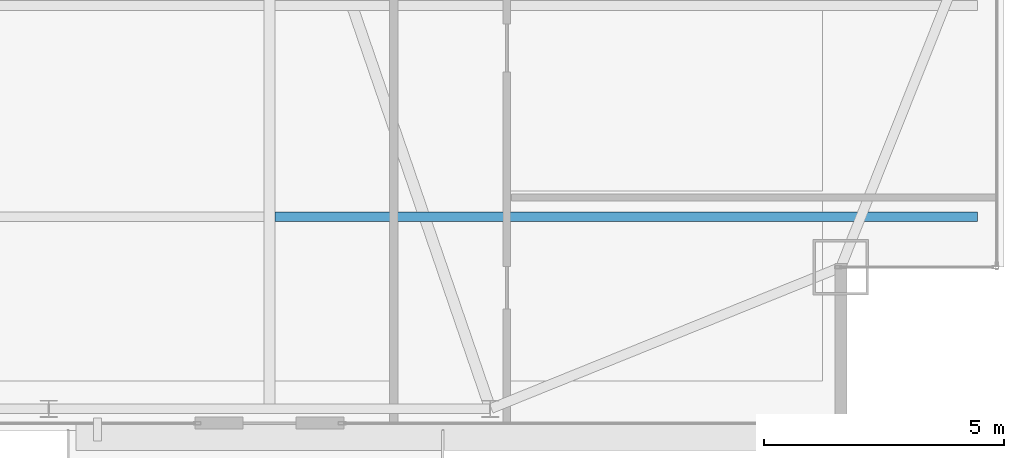
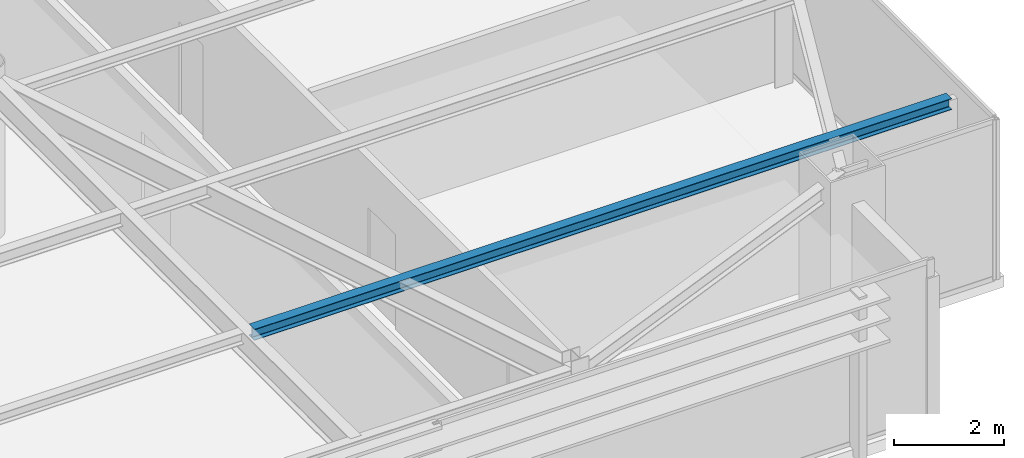
# One storey, part 14 of 30: 1 beam.
"""IFC4 building model written with IfcOpenShell, lengths in metres."""

from ifc_helpers import new_model, si_unit, direction, frame, origin, origin_2d, place, context, subcontext, project, spatial, i_section, extrude, source, transform, mapped, material, material_profile, profile_set, type_object, type_shapes, element, save


model = new_model("IFC4")

# Units and contexts
model_context = context("Model", 3, precision=1e-05, world=origin(), true_north=direction((0.0, 1.0)))
body_context = subcontext(model_context, "Body", "Model", "MODEL_VIEW")
ifc_project = project(units=[si_unit("LENGTHUNIT", "METRE"), si_unit("AREAUNIT", "SQUARE_METRE"), si_unit("VOLUMEUNIT", "CUBIC_METRE"), si_unit("PLANEANGLEUNIT", "RADIAN"), si_unit("MASSUNIT", "GRAM", prefix="KILO")], contexts=[model_context])

# Site, building, storey
site_placement = place(None, origin())
site = spatial("IfcSite", under=ifc_project, at=site_placement, CompositionType="ELEMENT")
building_placement = place(site_placement, origin())
building = spatial("IfcBuilding", under=site, at=building_placement, Name="Varnel Quay Broadcast Tower", CompositionType="ELEMENT")
storey_placement = place(building_placement, frame((0.0, 0.0, 207.39990234375)))
storey = spatial("IfcBuildingStorey", under=building, at=storey_placement, Name="L51", CompositionType="ELEMENT", Elevation=207.39990234375)

# Beam
ifc_material = material(Name="Structural Steel CSA G40.21 350W", Category="steel")
ifc_material_profile = material_profile(ifc_material, i_section(OverallWidth=0.201904296875, OverallDepth=0.2470703125, WebThickness=0.00732421875, FlangeThickness=0.010986328125, FilletRadius=0.010986328125, at=origin_2d()), Name="W250X49")
ifc_profile_set = profile_set([ifc_material_profile], Name="Structural Steel CSA G40.21 350W")
beam_type = type_object("IfcBeamType", Name="Beam_W250X49", PredefinedType="JOIST", material=ifc_profile_set)
shared_shape = source(origin(), body_context, "Body", "SweptSolid", [
    extrude(i_section(OverallWidth=0.201904296875, OverallDepth=0.2470703125, WebThickness=0.00732421875, FlangeThickness=0.010986328125, FilletRadius=0.010986328125, at=origin_2d()), origin(), (0.0, 0.0, 1.0), 14.642333984375),
])
type_shapes(beam_type, [shared_shape])
beam_placement = place(storey_placement, frame((43.31005859375, 14.64990234375, 3.426513671875), z_axis=(1.0, 0.0, 0.0), x_axis=(0.0, 1.0, 0.0)))
element("IfcBeam", 1, at=beam_placement, inside=storey, type_object=beam_type, Name="L51 East Floor Joist 1", PredefinedType="JOIST", context=body_context, shape_type="MappedRepresentation", body=[
    mapped(shared_shape, transform((0.0, 0.0, 0.0), x_axis=(1.0, 0.0, 0.0), y_axis=(0.0, 1.0, 0.0), z_axis=(0.0, 0.0, 1.0), scale=1.0)),
])

save(model, "model.ifc")
